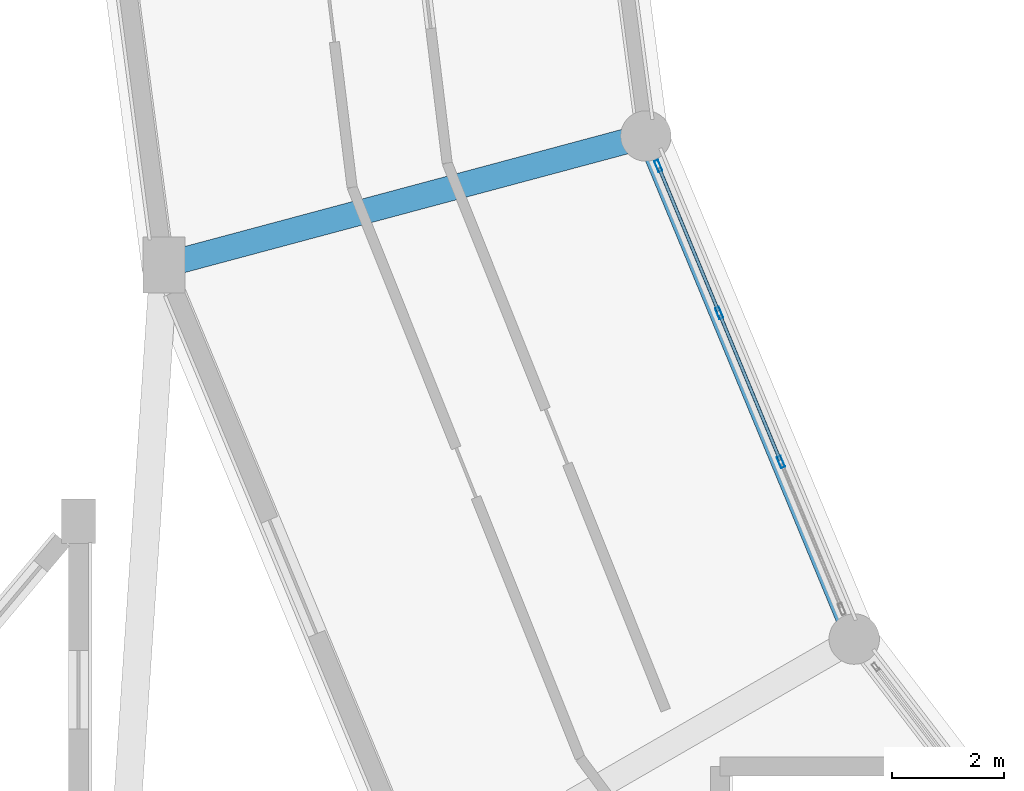
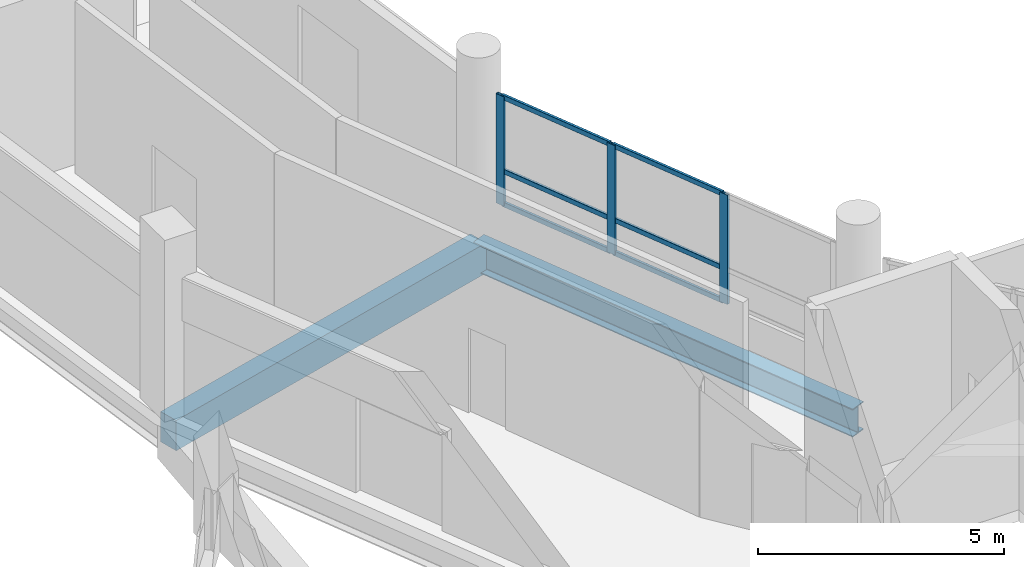
# One storey, part 31 of 129: 9 members, 2 beams, 1 element without a shape of its own.
"""IFC4 building model written with IfcOpenShell, lengths in metres."""

import ifcopenshell
import ifcopenshell.guid

model = None  # the IFC model being written
_history = None  # IfcOwnerHistory: only IFC2X3 demands one
_inside = {}  # id of a spatial element -> (the spatial element, [elements in it])
_under = {}  # id of a project, library or spatial element -> (it, [spatial elements below it])
_declared = {}  # id of a project -> (the project, [libraries it declares])
_typed = {}  # id of a type object -> (the type object, [elements of that type])
_made_of = {}  # id of a material, layer set ... -> (it, [elements and type objects made of it])


def new_model(schema):
    """Start an empty IFC model of exactly this schema.

    Asked for "IFC4X3", IfcOpenShell would pick the latest addendum, in which some entities
    have other attributes; the version numbers below select the first issue.
    IFC2X3 requires an IfcOwnerHistory on every rooted entity: one is made here for all.
    """
    global model, _history
    if schema == "IFC4X3":
        model = ifcopenshell.file(schema_version=(4, 3, 0, 0))
    else:
        model = ifcopenshell.file(schema=schema)
    _inside.clear()
    _under.clear()
    _declared.clear()
    _typed.clear()
    _made_of.clear()
    _history = None
    if model.schema == "IFC2X3":
        org = make("IfcOrganization", Name="unknown")
        user = make(
            "IfcPersonAndOrganization",
            ThePerson=make("IfcPerson", FamilyName="unknown"),
            TheOrganization=org,
        )
        app = make(
            "IfcApplication",
            ApplicationDeveloper=org,
            Version="unknown",
            ApplicationFullName="unknown",
            ApplicationIdentifier="unknown",
        )
        _history = make(
            "IfcOwnerHistory",
            OwningUser=user,
            OwningApplication=app,
            ChangeAction="ADDED",
            CreationDate=0,
        )
    return model


def make(cls, **values):
    """One entity of the class cls with the attributes given. An attribute that is None is left unset."""
    return model.create_entity(
        cls, **{name: value for name, value in values.items() if value is not None}
    )


def rooted(cls, **values):
    """An entity with a GlobalId (a new one), such as an element, a storey or a relation."""
    return make(cls, GlobalId=ifcopenshell.guid.new(), OwnerHistory=_history, **values)


def si_unit(unit_type, name, prefix=None):
    """IfcSIUnit, for example si_unit("LENGTHUNIT", "METRE", prefix="MILLI")."""
    return make("IfcSIUnit", UnitType=unit_type, Prefix=prefix, Name=name)


def assignment(units):
    """IfcUnitAssignment: the units of a project."""
    return None if units is None else make("IfcUnitAssignment", Units=units)


def point(xyz):
    """IfcCartesianPoint."""
    return None if xyz is None else make("IfcCartesianPoint", Coordinates=xyz)


def direction(xyz):
    """IfcDirection."""
    return None if xyz is None else make("IfcDirection", DirectionRatios=xyz)


def frame(location, z_axis=None, x_axis=None):
    """IfcAxis2Placement3D, a coordinate frame: its origin and axes. An axis left out is left unset."""
    return make(
        "IfcAxis2Placement3D",
        Location=point(location),
        Axis=direction(z_axis),
        RefDirection=direction(x_axis),
    )


def frame_2d(location, x_axis=None):
    """IfcAxis2Placement2D, a coordinate frame in the plane: its origin and x axis."""
    return make(
        "IfcAxis2Placement2D", Location=point(location), RefDirection=direction(x_axis)
    )


def origin():
    """The frame at (0, 0, 0) with its axes left unset."""
    return frame((0.0, 0.0, 0.0))


def origin_2d():
    """The frame at (0, 0) in the plane with its x axis left unset."""
    return frame_2d((0.0, 0.0))


def place(relative_to, where):
    """IfcLocalPlacement: puts the frame where relative to a parent placement (None: the world)."""
    return make(
        "IfcLocalPlacement", PlacementRelTo=relative_to, RelativePlacement=where
    )


def context(
    kind, dimensions, precision=None, world=None, true_north=None, identifier=None
):
    """IfcGeometricRepresentationContext, for example the 3D "Model" context."""
    return make(
        "IfcGeometricRepresentationContext",
        ContextIdentifier=identifier,
        ContextType=kind,
        CoordinateSpaceDimension=dimensions,
        Precision=precision,
        WorldCoordinateSystem=world,
        TrueNorth=true_north,
    )


def subcontext(parent, identifier, kind, view, scale=None):
    """IfcGeometricRepresentationSubContext, for example "Body" below "Model"."""
    return make(
        "IfcGeometricRepresentationSubContext",
        ContextIdentifier=identifier,
        ContextType=kind,
        ParentContext=parent,
        TargetScale=scale,
        TargetView=view,
    )


def project(units=None, contexts=None):
    """IfcProject with its units and contexts."""
    return rooted(
        "IfcProject",
        Name="project",
        RepresentationContexts=contexts,
        UnitsInContext=assignment(units),
    )


def spatial(cls, under=None, at=None, **own):
    """A site, building, storey or space (cls), placed at a placement, below another one or the project."""
    s = rooted(cls, ObjectPlacement=at, **own)
    if under is not None:
        _under.setdefault(under.id(), (under, []))[1].append(s)
    return s


def profile(cls, at=None, kind="AREA", **sizes):
    """A parametric profile (cls). Its sizes go by their IFC names, for example OverallWidth=200.0."""
    return make(cls, ProfileType=kind, Position=at, **sizes)


def rectangle(**sizes):
    """IfcRectangleProfileDef."""
    return profile("IfcRectangleProfileDef", **sizes)


def hollow_rectangle(**sizes):
    """IfcRectangleHollowProfileDef."""
    return profile("IfcRectangleHollowProfileDef", **sizes)


def i_section(**sizes):
    """IfcIShapeProfileDef."""
    return profile("IfcIShapeProfileDef", **sizes)


def extrude(swept, where, along, depth):
    """IfcExtrudedAreaSolid: the profile swept, set in the frame where, extruded along a direction by depth."""
    return make(
        "IfcExtrudedAreaSolid",
        SweptArea=swept,
        Position=where,
        ExtrudedDirection=direction(along),
        Depth=depth,
    )


def shape(context_of_items, identifier, shape_type, items):
    """IfcShapeRepresentation: the items that make up one representation, for example the "Body"."""
    return make(
        "IfcShapeRepresentation",
        ContextOfItems=context_of_items,
        RepresentationIdentifier=identifier,
        RepresentationType=shape_type,
        Items=items,
    )


def material(Name=None, Category=None):
    """IfcMaterial."""
    return make("IfcMaterial", Name=Name, Category=Category)


def layer(
    of_material, thickness, ventilated=None, Name=None, Category=None, Priority=None
):
    """IfcMaterialLayer: one layer of a wall or slab, of a material (None: an air gap)."""
    return make(
        "IfcMaterialLayer",
        Material=of_material,
        LayerThickness=thickness,
        IsVentilated=ventilated,
        Name=Name,
        Category=Category,
        Priority=Priority,
    )


def layer_set(layers, Name=None):
    """IfcMaterialLayerSet."""
    return make("IfcMaterialLayerSet", MaterialLayers=layers, LayerSetName=Name)


def material_profile(
    of_material, cross_section, Name=None, Category=None, Priority=None
):
    """IfcMaterialProfile: a cross section and its material."""
    return make(
        "IfcMaterialProfile",
        Name=Name,
        Material=of_material,
        Profile=cross_section,
        Priority=Priority,
        Category=Category,
    )


def profile_set(profiles, Name=None, composite=None):
    """IfcMaterialProfileSet."""
    return make(
        "IfcMaterialProfileSet",
        Name=Name,
        MaterialProfiles=profiles,
        CompositeProfile=composite,
    )


def made_of(thing, what):
    """Note that an element or type object is made of a material, layer set ...; save() writes the relation."""
    if what is not None:
        _made_of.setdefault(what.id(), (what, []))[1].append(thing)
    return thing


def type_object(cls, material=None, **own):
    """A type object (cls), such as IfcWallType, which elements share."""
    return made_of(rooted(cls, **own), material)


def element(
    cls,
    number,
    at=None,
    inside=None,
    cuts=None,
    type_object=None,
    material=None,
    context=None,
    identifier="Body",
    shape_type=None,
    held_by="IfcProductDefinitionShape",
    body=None,
    shapes=None,
    **own,
):
    """One element of the class cls, such as IfcWall. Its Tag is "e" and its number.

    at: its placement. inside: the storey or other place that contains it. cuts: it is an
    opening in that element (IfcRelVoidsElement). A single representation is given by context,
    identifier, shape_type and body (its items); several are given by shapes. held_by: the class
    of the entity that holds the representations. save() writes the other relations.
    """
    e = rooted(cls, Tag="e%d" % number, ObjectPlacement=at, **own)
    if body is not None:
        shapes = [shape(context, identifier, shape_type, body)]
    if shapes is not None:
        e.Representation = make(held_by, Representations=shapes)
    if inside is not None:
        _inside.setdefault(inside.id(), (inside, []))[1].append(e)
    if cuts is not None:
        rooted(
            "IfcRelVoidsElement", RelatingBuildingElement=cuts, RelatedOpeningElement=e
        )
    if type_object is not None:
        _typed.setdefault(type_object.id(), (type_object, []))[1].append(e)
    return made_of(e, material)


def aggregate(whole, parts):
    """IfcRelAggregates: a whole, such as a stair, and the parts it consists of."""
    return rooted("IfcRelAggregates", RelatingObject=whole, RelatedObjects=parts)


def save(model, path):
    """Write the relations noted so far, then the file.

    IfcRelAggregates (storeys below a building ...), IfcRelContainedInSpatialStructure (elements
    in a storey), IfcRelDefinesByType, IfcRelAssociatesMaterial and IfcRelDeclares: one each for
    every whole, place, type object, material and project.
    """
    for whole, parts in _under.values():
        aggregate(whole, parts)
    for where, things in _inside.values():
        rooted(
            "IfcRelContainedInSpatialStructure",
            RelatedElements=things,
            RelatingStructure=where,
        )
    for kind, things in _typed.values():
        rooted("IfcRelDefinesByType", RelatedObjects=things, RelatingType=kind)
    for what, things in _made_of.values():
        rooted("IfcRelAssociatesMaterial", RelatedObjects=things, RelatingMaterial=what)
    for by, libraries in _declared.values():
        rooted("IfcRelDeclares", RelatingContext=by, RelatedDefinitions=libraries)
    model.write(path)


model = new_model("IFC4")

# Units and contexts
model_context = context("Model", 3, precision=1e-05, world=origin(), true_north=direction((0.0, 1.0)))
body_context = subcontext(model_context, "Body", "Model", "MODEL_VIEW")
ifc_project = project(units=[si_unit("LENGTHUNIT", "METRE"), si_unit("AREAUNIT", "SQUARE_METRE"), si_unit("VOLUMEUNIT", "CUBIC_METRE"), si_unit("PLANEANGLEUNIT", "RADIAN"), si_unit("MASSUNIT", "GRAM", prefix="KILO")], contexts=[model_context])

# Site, building, storey
site_placement = place(None, origin())
site = spatial("IfcSite", under=ifc_project, at=site_placement, CompositionType="ELEMENT")
building_placement = place(site_placement, origin())
building = spatial("IfcBuilding", under=site, at=building_placement, Name="Vespera Passage Community Centre", CompositionType="ELEMENT")
storey_placement = place(building_placement, origin())
storey = spatial("IfcBuildingStorey", under=building, at=storey_placement, Name="L00", CompositionType="ELEMENT", Elevation=0.0)

# Beams
ifc_material_1 = material(Name="Concrete f'c 35 MPa", Category="concrete")
ifc_material_profile_1 = material_profile(ifc_material_1, rectangle(XDim=0.449951171875, YDim=0.75, at=origin_2d()), Name="RC450X750")
ifc_profile_set_1 = profile_set([ifc_material_profile_1], Name="Concrete f'c 35 MPa")
beam_type_1 = type_object("IfcBeamType", Name="BM-G-450X750", PredefinedType="BEAM", material=ifc_profile_set_1)
beam_1_placement = place(storey_placement, frame((42.067626953125, 55.871826171875, -0.655029296875), z_axis=(-0.9659278487, -0.258811497245, 0.0), x_axis=(0.258811497245, -0.9659278487, 0.0)))
element("IfcBeam", 1, at=beam_1_placement, inside=storey, type_object=beam_type_1, Name="V4 L00 Radial Girder 13", PredefinedType="BEAM", context=body_context, shape_type="SweptSolid", body=[
    extrude(rectangle(XDim=0.449951171875, YDim=0.75, at=origin_2d()), origin(), (0.0, 0.0, 1.0), 8.900146484375),
])
ifc_material_2 = material(Name="Steel ASTM A992 Grade 50", Category="steel")
ifc_material_profile_2 = material_profile(ifc_material_2, i_section(OverallWidth=0.3544921875, OverallDepth=0.695556640625, WebThickness=0.015380859375, FlangeThickness=0.024658203125, FilletRadius=0.01513671875, at=origin_2d()), Name="W27X146")
ifc_profile_set_2 = profile_set([ifc_material_profile_2], Name="Steel ASTM A992 Grade 50")
beam_type_2 = type_object("IfcBeamType", Name="BM-SP-W27X146E", PredefinedType="SPANDREL", material=ifc_profile_set_2)
beam_2_placement = place(storey_placement, frame((42.067626953125, 55.871826171875, -0.627685546875), z_axis=(0.382684844258, -0.923878947685, 0.0), x_axis=(0.923878947685, 0.382684844258, 0.0)))
element("IfcBeam", 2, at=beam_2_placement, inside=storey, type_object=beam_type_2, Name="V4 L00 Inner Spandrel 13", PredefinedType="SPANDREL", context=body_context, shape_type="SweptSolid", body=[
    extrude(i_section(OverallWidth=0.3544921875, OverallDepth=0.695556640625, WebThickness=0.015380859375, FlangeThickness=0.024658203125, FilletRadius=0.01513671875, at=origin_2d()), origin(), (0.0, 0.0, 1.0), 9.711181640625),
])

# Curtain wall, members
ifc_material_3 = material(Name="Anodized aluminium 6063-T6", Category="aluminium")
ifc_layer = layer(ifc_material_3, 0.159912109375)
ifc_layer_set = layer_set([ifc_layer], Name="Anodized aluminium 6063-T6")
curtain_wall_type = type_object("IfcCurtainWallType", Name="CW-02E", PredefinedType="NOTDEFINED", material=ifc_layer_set)
curtain_wall_placement = place(storey_placement, origin())
curtain_wall = element("IfcCurtainWall", 3, at=curtain_wall_placement, inside=storey, type_object=curtain_wall_type, Name="V4 L00 Inner Court Curtain Wall 13", PredefinedType="NOTDEFINED")
ifc_material_4 = material(Name="Anodized aluminium 6063-T6", Category="aluminium")
ifc_material_profile_3 = material_profile(ifc_material_4, hollow_rectangle(XDim=0.074951171875, YDim=0.2099609375, WallThickness=0.0048828125, InnerFilletRadius=0.00244140625, OuterFilletRadius=0.0048828125, at=origin_2d()), Name="ALU210X75X5")
ifc_profile_set_3 = profile_set([ifc_material_profile_3], Name="Anodized aluminium 6063-T6")
member_type_1 = type_object("IfcMemberType", Name="MB-CWM-210E", PredefinedType="MULLION", material=ifc_profile_set_3)
member_1_placement = place(storey_placement, frame((42.288330078125, 55.338623046875, 0.820068359375), z_axis=(0.0, 0.0, 1.0), x_axis=(0.923876620096, 0.382690463482, 0.0)))
member_1 = element("IfcMember", 4, at=member_1_placement, type_object=member_type_1, Name="CW-02E mullion 1", PredefinedType="MULLION", context=body_context, shape_type="SweptSolid", body=[
    extrude(hollow_rectangle(XDim=0.074951171875, YDim=0.2099609375, WallThickness=0.0048828125, InnerFilletRadius=0.00244140625, OuterFilletRadius=0.0048828125, at=origin_2d()), origin(), (0.0, 0.0, 1.0), 2.709228515625),
])
member_2_placement = place(storey_placement, frame((43.375244140625, 52.715087890625, 0.820068359375), z_axis=(0.0, 0.0, 1.0), x_axis=(0.923876620096, 0.382690463482, 0.0)))
member_2 = element("IfcMember", 5, at=member_2_placement, type_object=member_type_1, Name="CW-02E mullion 2", PredefinedType="MULLION", context=body_context, shape_type="SweptSolid", body=[
    extrude(hollow_rectangle(XDim=0.074951171875, YDim=0.2099609375, WallThickness=0.0048828125, InnerFilletRadius=0.00244140625, OuterFilletRadius=0.0048828125, at=origin_2d()), origin(), (0.0, 0.0, 1.0), 2.709228515625),
])
member_3_placement = place(storey_placement, frame((44.476318359375, 50.056884765625, 0.820068359375), z_axis=(0.0, 0.0, 1.0), x_axis=(0.923876620096, 0.382690463482, 0.0)))
member_3 = element("IfcMember", 6, at=member_3_placement, type_object=member_type_1, Name="CW-02E mullion 3", PredefinedType="MULLION", context=body_context, shape_type="SweptSolid", body=[
    extrude(hollow_rectangle(XDim=0.074951171875, YDim=0.2099609375, WallThickness=0.0048828125, InnerFilletRadius=0.00244140625, OuterFilletRadius=0.0048828125, at=origin_2d()), origin(), (0.0, 0.0, 1.0), 2.709228515625),
])
ifc_material_5 = material(Name="Anodized aluminium 6063-T6", Category="aluminium")
ifc_material_profile_4 = material_profile(ifc_material_5, hollow_rectangle(XDim=0.06005859375, YDim=0.1201171875, WallThickness=0.00390625, InnerFilletRadius=0.001953125, OuterFilletRadius=0.00390625, at=origin_2d()), Name="ALU120X60X4")
ifc_profile_set_4 = profile_set([ifc_material_profile_4], Name="Anodized aluminium 6063-T6")
member_type_2 = type_object("IfcMemberType", Name="MB-CWT-120E", PredefinedType="USERDEFINED", material=ifc_profile_set_4)
member_4_placement = place(storey_placement, frame((42.302734375, 55.303955078125, 0.85009765625), z_axis=(0.382720946689, -0.923863992677, 0.0), x_axis=(0.923863992677, 0.382720946689, 0.0)))
member_4 = element("IfcMember", 7, at=member_4_placement, type_object=member_type_2, Name="CW-02E transom 1.1", ObjectType="TRANSOM", PredefinedType="USERDEFINED", context=body_context, shape_type="SweptSolid", body=[
    extrude(hollow_rectangle(XDim=0.06005859375, YDim=0.1201171875, WallThickness=0.00390625, InnerFilletRadius=0.001953125, OuterFilletRadius=0.00390625, at=origin_2d()), origin(), (0.0, 0.0, 1.0), 2.7646484375),
])
member_5_placement = place(storey_placement, frame((42.302734375, 55.303955078125, 1.669921875), z_axis=(0.382720946689, -0.923863992677, 0.0), x_axis=(0.923863992677, 0.382720946689, 0.0)))
member_5 = element("IfcMember", 8, at=member_5_placement, type_object=member_type_2, Name="CW-02E transom 1.2", ObjectType="TRANSOM", PredefinedType="USERDEFINED", context=body_context, shape_type="SweptSolid", body=[
    extrude(hollow_rectangle(XDim=0.06005859375, YDim=0.1201171875, WallThickness=0.00390625, InnerFilletRadius=0.001953125, OuterFilletRadius=0.00390625, at=origin_2d()), origin(), (0.0, 0.0, 1.0), 2.7646484375),
])
member_6_placement = place(storey_placement, frame((42.302734375, 55.303955078125, 3.49951171875), z_axis=(0.382720946689, -0.923863992677, 0.0), x_axis=(0.923863992677, 0.382720946689, 0.0)))
member_6 = element("IfcMember", 9, at=member_6_placement, type_object=member_type_2, Name="CW-02E transom 1.3", ObjectType="TRANSOM", PredefinedType="USERDEFINED", context=body_context, shape_type="SweptSolid", body=[
    extrude(hollow_rectangle(XDim=0.06005859375, YDim=0.1201171875, WallThickness=0.00390625, InnerFilletRadius=0.001953125, OuterFilletRadius=0.00390625, at=origin_2d()), origin(), (0.0, 0.0, 1.0), 2.7646484375),
])
member_7_placement = place(storey_placement, frame((43.3896484375, 52.680419921875, 0.85009765625), z_axis=(0.382659588994, -0.923889408399, 0.0), x_axis=(0.923889408399, 0.382659588994, 0.0)))
member_7 = element("IfcMember", 10, at=member_7_placement, type_object=member_type_2, Name="CW-02E transom 2.1", ObjectType="TRANSOM", PredefinedType="USERDEFINED", context=body_context, shape_type="SweptSolid", body=[
    extrude(hollow_rectangle(XDim=0.06005859375, YDim=0.1201171875, WallThickness=0.00390625, InnerFilletRadius=0.001953125, OuterFilletRadius=0.00390625, at=origin_2d()), origin(), (0.0, 0.0, 1.0), 2.80224609375),
])
member_8_placement = place(storey_placement, frame((43.3896484375, 52.680419921875, 1.669921875), z_axis=(0.382659588994, -0.923889408399, 0.0), x_axis=(0.923889408399, 0.382659588994, 0.0)))
member_8 = element("IfcMember", 11, at=member_8_placement, type_object=member_type_2, Name="CW-02E transom 2.2", ObjectType="TRANSOM", PredefinedType="USERDEFINED", context=body_context, shape_type="SweptSolid", body=[
    extrude(hollow_rectangle(XDim=0.06005859375, YDim=0.1201171875, WallThickness=0.00390625, InnerFilletRadius=0.001953125, OuterFilletRadius=0.00390625, at=origin_2d()), origin(), (0.0, 0.0, 1.0), 2.80224609375),
])
member_9_placement = place(storey_placement, frame((43.3896484375, 52.680419921875, 3.49951171875), z_axis=(0.382659588994, -0.923889408399, 0.0), x_axis=(0.923889408399, 0.382659588994, 0.0)))
member_9 = element("IfcMember", 12, at=member_9_placement, type_object=member_type_2, Name="CW-02E transom 2.3", ObjectType="TRANSOM", PredefinedType="USERDEFINED", context=body_context, shape_type="SweptSolid", body=[
    extrude(hollow_rectangle(XDim=0.06005859375, YDim=0.1201171875, WallThickness=0.00390625, InnerFilletRadius=0.001953125, OuterFilletRadius=0.00390625, at=origin_2d()), origin(), (0.0, 0.0, 1.0), 2.80224609375),
])
aggregate(curtain_wall, [member_1, member_2, member_3, member_4, member_5, member_6, member_7, member_8, member_9])

save(model, "model.ifc")
